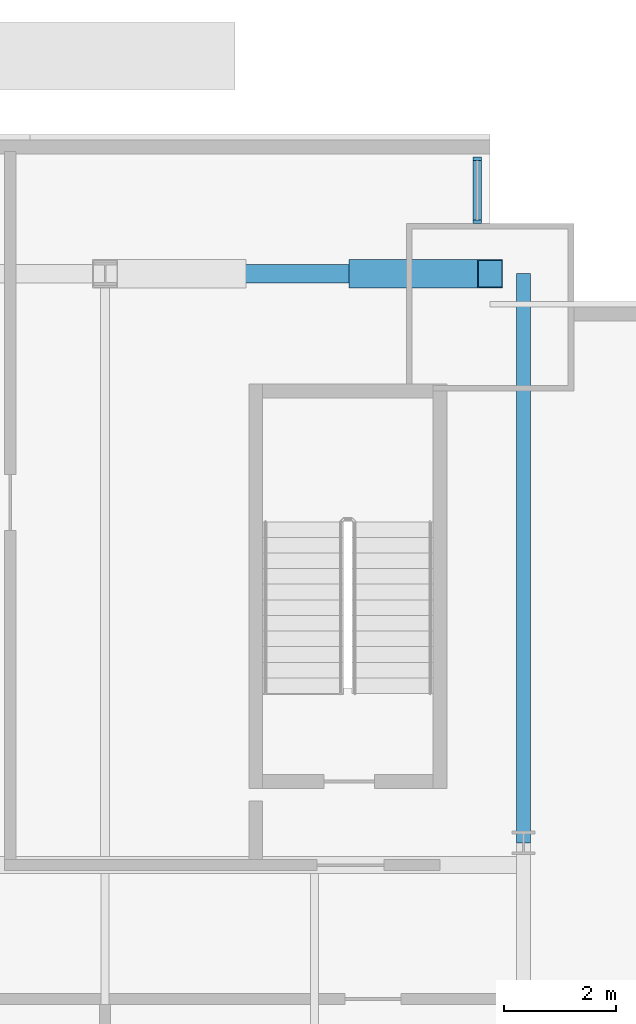
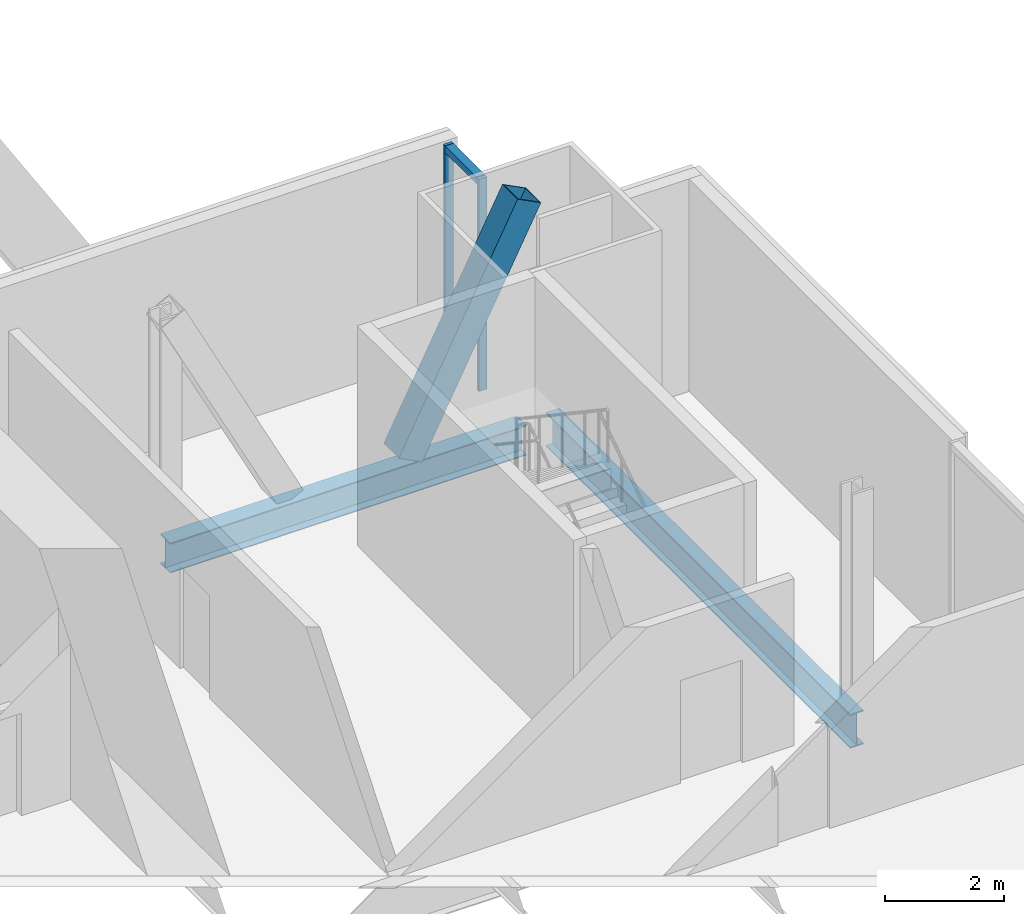
# One storey, part 14 of 23: 4 members, 2 beams, 1 element without a shape of its own.
"""IFC4 building model written with IfcOpenShell, lengths in metres."""

from ifc_helpers import new_model, si_unit, direction, frame, origin, origin_2d, place, context, subcontext, project, spatial, rectangle, hollow_rectangle, i_section, extrude, material, material_profile, profile_set, type_object, element, aggregate, save


model = new_model("IFC4")

# Units and contexts
model_context = context("Model", 3, precision=1e-05, world=origin(), true_north=direction((0.0, 1.0)))
body_context = subcontext(model_context, "Body", "Model", "MODEL_VIEW")
ifc_project = project(units=[si_unit("LENGTHUNIT", "METRE"), si_unit("AREAUNIT", "SQUARE_METRE"), si_unit("VOLUMEUNIT", "CUBIC_METRE"), si_unit("PLANEANGLEUNIT", "RADIAN"), si_unit("MASSUNIT", "GRAM", prefix="KILO")], contexts=[model_context])

# Site, building, storey
site_placement = place(None, origin())
site = spatial("IfcSite", under=ifc_project, at=site_placement, CompositionType="ELEMENT")
building_placement = place(site_placement, origin())
building = spatial("IfcBuilding", under=site, at=building_placement, Name="Bicima Exchange Tower", CompositionType="ELEMENT")
storey_placement = place(building_placement, frame((0.0, 0.0, 44.0)))
storey = spatial("IfcBuildingStorey", under=building, at=storey_placement, Name="L08", CompositionType="ELEMENT", Elevation=44.0)

# Beam
ifc_material_1 = material(Name="Steel ASTM A992 Gr 50", Category="steel")
ifc_material_profile_1 = material_profile(ifc_material_1, i_section(OverallWidth=0.256591796875, OverallDepth=0.693359375, WebThickness=0.014404296875, FlangeThickness=0.023681640625, at=origin_2d()))
ifc_profile_set_1 = profile_set([ifc_material_profile_1], Name="Steel ASTM A992 Gr 50")
beam_type_1 = type_object("IfcBeamType", Name="End girder W27x114", PredefinedType="BEAM", material=ifc_profile_set_1)
beam_1_placement = place(storey_placement, frame((33.60009765625, -2.39990234375, -0.49658203125), z_axis=(0.0, -1.0, 0.0), x_axis=(1.0, 0.0, 0.0)))
element("IfcBeam", 1, at=beam_1_placement, inside=storey, type_object=beam_type_1, Name="End girder", PredefinedType="BEAM", context=body_context, shape_type="SweptSolid", body=[
    extrude(i_section(OverallWidth=0.256591796875, OverallDepth=0.693359375, WebThickness=0.014404296875, FlangeThickness=0.023681640625, at=origin_2d()), origin(), (0.0, 0.0, 1.0), 10.2001953125),
])

# Curtain wall, members
ifc_material_2 = material(Name="Anodised bronze aluminium", Category="aluminium")
curtain_wall_type = type_object("IfcCurtainWallType", Name="Front glass wall", PredefinedType="NOTDEFINED", material=ifc_material_2)
curtain_wall_placement = place(storey_placement, origin())
curtain_wall = element("IfcCurtainWall", 2, at=curtain_wall_placement, inside=storey, type_object=curtain_wall_type, Name="Front glass wall L08 run 20", PredefinedType="NOTDEFINED")
ifc_material_profile_2 = material_profile(ifc_material_2, rectangle(XDim=0.159912109375, YDim=0.06005859375, at=origin_2d()))
ifc_profile_set_2 = profile_set([ifc_material_profile_2], Name="Anodised bronze aluminium")
member_type_1 = type_object("IfcMemberType", Name="Front glass wall mullion 60 x 160", PredefinedType="MULLION", material=ifc_profile_set_2)
member_1_placement = place(storey_placement, frame((32.77001953125, -1.469970703125, 0.0), z_axis=(0.0, 0.0, 1.0), x_axis=(-1.0, 0.0, 0.0)))
member_1 = element("IfcMember", 3, at=member_1_placement, type_object=member_type_1, Name="Front glass wall mullion 1", PredefinedType="MULLION", context=body_context, shape_type="SweptSolid", body=[
    extrude(rectangle(XDim=0.159912109375, YDim=0.06005859375, at=origin_2d()), origin(), (0.0, 0.0, 1.0), 4.35009765625),
])
member_2_placement = place(storey_placement, frame((32.77001953125, -0.340087890625, 0.0), z_axis=(0.0, 0.0, 1.0), x_axis=(-1.0, 0.0, 0.0)))
member_2 = element("IfcMember", 4, at=member_2_placement, type_object=member_type_1, Name="Front glass wall mullion 2", PredefinedType="MULLION", context=body_context, shape_type="SweptSolid", body=[
    extrude(rectangle(XDim=0.159912109375, YDim=0.06005859375, at=origin_2d()), origin(), (0.0, 0.0, 1.0), 4.35009765625),
])
ifc_material_profile_3 = material_profile(ifc_material_2, rectangle(XDim=0.159912109375, YDim=0.139892578125, at=origin_2d()))
ifc_profile_set_3 = profile_set([ifc_material_profile_3], Name="Anodised bronze aluminium")
member_type_2 = type_object("IfcMemberType", Name="Front glass wall transom 140 x 160", PredefinedType="USERDEFINED", material=ifc_profile_set_3)
member_3_placement = place(storey_placement, frame((32.77001953125, -1.43994140625, 4.280029296875), z_axis=(0.0, 1.0, 0.0), x_axis=(-1.0, 0.0, 0.0)))
member_3 = element("IfcMember", 5, at=member_3_placement, type_object=member_type_2, Name="Front glass wall transom 1.1", ObjectType="TRANSOM", PredefinedType="USERDEFINED", context=body_context, shape_type="SweptSolid", body=[
    extrude(rectangle(XDim=0.159912109375, YDim=0.139892578125, at=origin_2d()), origin(), (0.0, 0.0, 1.0), 1.06982421875),
])
aggregate(curtain_wall, [member_1, member_2, member_3])

# Member
ifc_material_3 = material(Name="Steel ASTM A572 Gr 50", Category="steel")
ifc_material_profile_4 = material_profile(ifc_material_3, hollow_rectangle(XDim=0.508056640625, YDim=0.508056640625, WallThickness=0.017822265625, at=origin_2d()))
ifc_profile_set_4 = profile_set([ifc_material_profile_4], Name="Steel ASTM A572 Gr 50")
member_type_3 = type_object("IfcMemberType", Name="Mega brace HSS20x20x3/4", PredefinedType="BRACE", material=ifc_profile_set_4)
member_4_placement = place(storey_placement, frame((30.699951171875, -2.39990234375, 0.0), z_axis=(0.455118720355, 0.0, 0.890430766754), x_axis=(0.0, 1.0, 0.0)))
element("IfcMember", 6, at=member_4_placement, inside=storey, type_object=member_type_3, Name="Mega brace rear", PredefinedType="BRACE", context=body_context, shape_type="SweptSolid", body=[
    extrude(hollow_rectangle(XDim=0.508056640625, YDim=0.508056640625, WallThickness=0.017822265625, at=origin_2d()), origin(), (0.0, 0.0, 1.0), 5.0537109375),
])

# Beam
ifc_material_profile_5 = material_profile(ifc_material_1, i_section(OverallWidth=0.3251953125, OverallDepth=0.612060546875, WebThickness=0.0126953125, FlangeThickness=0.01904296875, at=origin_2d()))
ifc_profile_set_5 = profile_set([ifc_material_profile_5], Name="Steel ASTM A992 Gr 50")
beam_type_2 = type_object("IfcBeamType", Name="Rear girder W24x104", PredefinedType="BEAM", material=ifc_profile_set_5)
beam_2_placement = place(storey_placement, frame((26.10009765625, -2.39990234375, -0.4560546875), z_axis=(1.0, 0.0, 0.0), x_axis=(0.0, 1.0, 0.0)))
element("IfcBeam", 7, at=beam_2_placement, inside=storey, type_object=beam_type_2, Name="Rear girder", PredefinedType="BEAM", context=body_context, shape_type="SweptSolid", body=[
    extrude(i_section(OverallWidth=0.3251953125, OverallDepth=0.612060546875, WebThickness=0.0126953125, FlangeThickness=0.01904296875, at=origin_2d()), origin(), (0.0, 0.0, 1.0), 6.89990234375),
])

save(model, "model.ifc")
